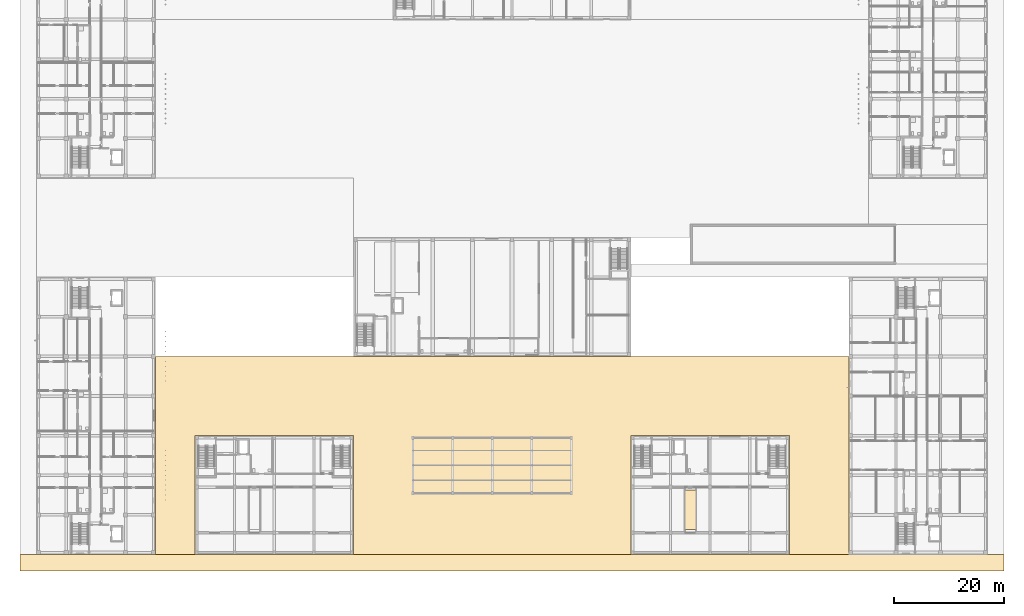
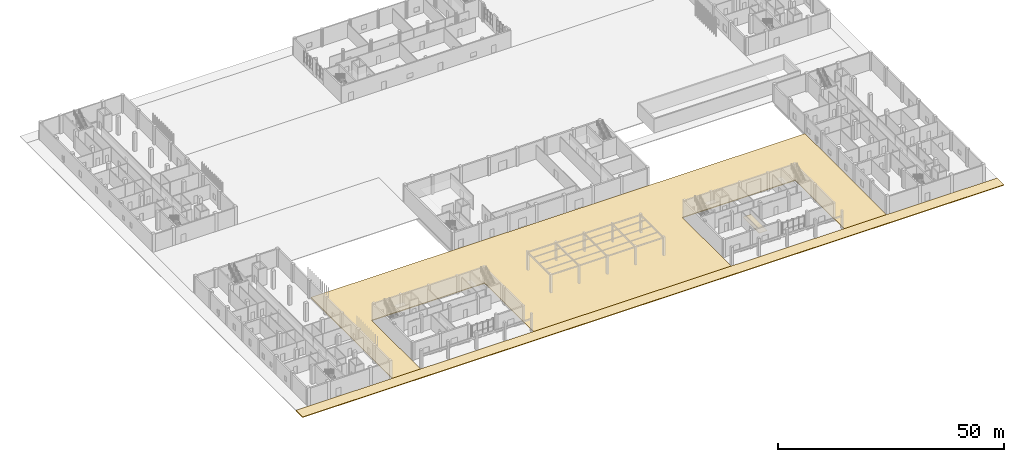
# One storey, part 64 of 85: 3 coverings.
"""IFC4 building model written with IfcOpenShell, lengths in metres."""

from ifc_helpers import new_model, si_unit, derived_unit, direction, frame, origin, place, context, subcontext, project, spatial, polyline, outline, extrude, material, layer, layer_set, type_object, element, save


model = new_model("IFC4")

# Units and contexts
model_context = context("Model", 3, precision=1e-05, world=origin(), true_north=direction((0.0, 1.0)))
body_context = subcontext(model_context, "Body", "Model", "MODEL_VIEW")
ifc_project = project(units=[si_unit("LENGTHUNIT", "METRE"), si_unit("AREAUNIT", "SQUARE_METRE"), si_unit("VOLUMEUNIT", "CUBIC_METRE"), si_unit("PLANEANGLEUNIT", "RADIAN"), si_unit("MASSUNIT", "GRAM", prefix="KILO"), derived_unit("THERMALTRANSMITTANCEUNIT", [(si_unit("MASSUNIT", "GRAM", prefix="KILO"), 1), (si_unit("TIMEUNIT", "SECOND"), -3), (si_unit("THERMODYNAMICTEMPERATUREUNIT", "KELVIN"), -1)])], contexts=[model_context])

# Site, building, storey
site_placement = place(None, origin())
site = spatial("IfcSite", under=ifc_project, at=site_placement, CompositionType="ELEMENT")
building_placement = place(site_placement, origin())
building = spatial("IfcBuilding", under=site, at=building_placement, Name="Ochrekiln Boulevard Commons", CompositionType="ELEMENT")
storey_placement = place(building_placement, origin())
storey = spatial("IfcBuildingStorey", under=building, at=storey_placement, Name="L00", CompositionType="ELEMENT", Elevation=0.0)

# Coverings
ifc_material_1 = material(Name="Mineral-fibre acoustic ceiling tile")
ifc_layer_1 = layer(ifc_material_1, 0.02490234375)
ifc_layer_set_1 = layer_set([ifc_layer_1], Name="Mineral-fibre acoustic ceiling tile")
covering_type_1 = type_object("IfcCoveringType", Name="COV-CEIL-AC", PredefinedType="CEILING", material=ifc_layer_set_1)
covering_1_placement = place(storey_placement, frame((0.0, 0.0, 2.64990234375)))
element("IfcCovering", 1, at=covering_1_placement, inside=storey, type_object=covering_type_1, Name="L00 Acoustic Corridor Ceiling 14", PredefinedType="CEILING", context=body_context, shape_type="SweptSolid", body=[
    extrude(outline(polyline([(117.77001953125, 4.5400390625), (119.830078125, 4.5400390625), (119.830078125, 11.760009765625), (117.77001953125, 11.760009765625), (117.77001953125, 4.5400390625)])), origin(), (0.0, 0.0, 1.0), 0.025146484375),
])
ifc_material_2 = material(Name="Precast concrete C40/50", Category="concrete")
ifc_layer_2 = layer(ifc_material_2, 0.18994140625)
ifc_layer_set_2 = layer_set([ifc_layer_2], Name="Precast concrete C40/50")
covering_type_2 = type_object("IfcCoveringType", Name="COV-PAV-190", PredefinedType="FLOORING", material=ifc_layer_set_2)
covering_2_placement = place(storey_placement, frame((0.0, 0.0, -0.18994140625)))
element("IfcCovering", 2, at=covering_2_placement, inside=storey, type_object=covering_type_2, Name="South Boulevard Sidewalk Paving Slab", PredefinedType="FLOORING", context=body_context, shape_type="SweptSolid", body=[
    extrude(outline(polyline([(-3.0, -3.0), (175.800048828125, -3.0), (175.800048828125, 0.0), (-3.0, 0.0), (-3.0, -3.0)])), origin(), (0.0, 0.0, 1.0), 0.18994140625),
])
covering_3_placement = place(storey_placement, frame((0.0, 0.0, -0.18994140625)))
element("IfcCovering", 3, at=covering_3_placement, inside=storey, type_object=covering_type_2, Name="South Boulevard Forecourt and Arcade Apron Paving Slab", PredefinedType="FLOORING", context=body_context, shape_type="SweptSolid", body=[
    extrude(outline(polyline([(21.60009765625, 0.0), (28.800048828125, 0.0), (28.800048828125, 21.60009765625), (57.60009765625, 21.60009765625), (57.60009765625, 0.0), (108.0, 0.0), (108.0, 21.60009765625), (136.800048828125, 21.60009765625), (136.800048828125, 0.0), (147.60009765625, 0.0), (147.60009765625, 36.0), (21.60009765625, 36.0), (21.60009765625, 0.0)])), origin(), (0.0, 0.0, 1.0), 0.18994140625),
])

save(model, "model.ifc")
